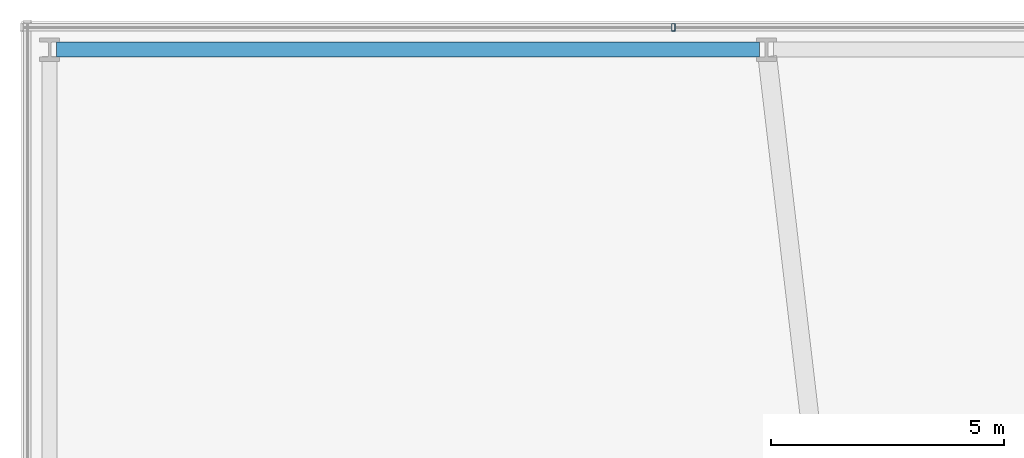
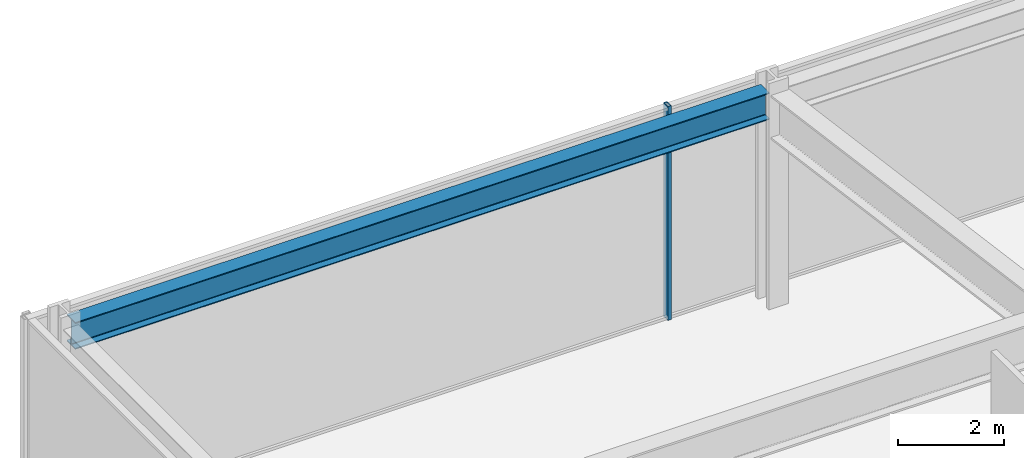
# One storey, part 31 of 49: 1 beam, 1 member, 1 element without a shape of its own.
"""IFC4 building model written with IfcOpenShell, lengths in metres."""

import ifcopenshell
import ifcopenshell.guid

model = None  # the IFC model being written
_history = None  # IfcOwnerHistory: only IFC2X3 demands one
_inside = {}  # id of a spatial element -> (the spatial element, [elements in it])
_under = {}  # id of a project, library or spatial element -> (it, [spatial elements below it])
_declared = {}  # id of a project -> (the project, [libraries it declares])
_typed = {}  # id of a type object -> (the type object, [elements of that type])
_made_of = {}  # id of a material, layer set ... -> (it, [elements and type objects made of it])


def new_model(schema):
    """Start an empty IFC model of exactly this schema.

    Asked for "IFC4X3", IfcOpenShell would pick the latest addendum, in which some entities
    have other attributes; the version numbers below select the first issue.
    IFC2X3 requires an IfcOwnerHistory on every rooted entity: one is made here for all.
    """
    global model, _history
    if schema == "IFC4X3":
        model = ifcopenshell.file(schema_version=(4, 3, 0, 0))
    else:
        model = ifcopenshell.file(schema=schema)
    _inside.clear()
    _under.clear()
    _declared.clear()
    _typed.clear()
    _made_of.clear()
    _history = None
    if model.schema == "IFC2X3":
        org = make("IfcOrganization", Name="unknown")
        user = make(
            "IfcPersonAndOrganization",
            ThePerson=make("IfcPerson", FamilyName="unknown"),
            TheOrganization=org,
        )
        app = make(
            "IfcApplication",
            ApplicationDeveloper=org,
            Version="unknown",
            ApplicationFullName="unknown",
            ApplicationIdentifier="unknown",
        )
        _history = make(
            "IfcOwnerHistory",
            OwningUser=user,
            OwningApplication=app,
            ChangeAction="ADDED",
            CreationDate=0,
        )
    return model


def make(cls, **values):
    """One entity of the class cls with the attributes given. An attribute that is None is left unset."""
    return model.create_entity(
        cls, **{name: value for name, value in values.items() if value is not None}
    )


def rooted(cls, **values):
    """An entity with a GlobalId (a new one), such as an element, a storey or a relation."""
    return make(cls, GlobalId=ifcopenshell.guid.new(), OwnerHistory=_history, **values)


def si_unit(unit_type, name, prefix=None):
    """IfcSIUnit, for example si_unit("LENGTHUNIT", "METRE", prefix="MILLI")."""
    return make("IfcSIUnit", UnitType=unit_type, Prefix=prefix, Name=name)


def assignment(units):
    """IfcUnitAssignment: the units of a project."""
    return None if units is None else make("IfcUnitAssignment", Units=units)


def point(xyz):
    """IfcCartesianPoint."""
    return None if xyz is None else make("IfcCartesianPoint", Coordinates=xyz)


def direction(xyz):
    """IfcDirection."""
    return None if xyz is None else make("IfcDirection", DirectionRatios=xyz)


def frame(location, z_axis=None, x_axis=None):
    """IfcAxis2Placement3D, a coordinate frame: its origin and axes. An axis left out is left unset."""
    return make(
        "IfcAxis2Placement3D",
        Location=point(location),
        Axis=direction(z_axis),
        RefDirection=direction(x_axis),
    )


def frame_2d(location, x_axis=None):
    """IfcAxis2Placement2D, a coordinate frame in the plane: its origin and x axis."""
    return make(
        "IfcAxis2Placement2D", Location=point(location), RefDirection=direction(x_axis)
    )


def origin():
    """The frame at (0, 0, 0) with its axes left unset."""
    return frame((0.0, 0.0, 0.0))


def origin_2d():
    """The frame at (0, 0) in the plane with its x axis left unset."""
    return frame_2d((0.0, 0.0))


def place(relative_to, where):
    """IfcLocalPlacement: puts the frame where relative to a parent placement (None: the world)."""
    return make(
        "IfcLocalPlacement", PlacementRelTo=relative_to, RelativePlacement=where
    )


def context(
    kind, dimensions, precision=None, world=None, true_north=None, identifier=None
):
    """IfcGeometricRepresentationContext, for example the 3D "Model" context."""
    return make(
        "IfcGeometricRepresentationContext",
        ContextIdentifier=identifier,
        ContextType=kind,
        CoordinateSpaceDimension=dimensions,
        Precision=precision,
        WorldCoordinateSystem=world,
        TrueNorth=true_north,
    )


def subcontext(parent, identifier, kind, view, scale=None):
    """IfcGeometricRepresentationSubContext, for example "Body" below "Model"."""
    return make(
        "IfcGeometricRepresentationSubContext",
        ContextIdentifier=identifier,
        ContextType=kind,
        ParentContext=parent,
        TargetScale=scale,
        TargetView=view,
    )


def project(units=None, contexts=None):
    """IfcProject with its units and contexts."""
    return rooted(
        "IfcProject",
        Name="project",
        RepresentationContexts=contexts,
        UnitsInContext=assignment(units),
    )


def spatial(cls, under=None, at=None, **own):
    """A site, building, storey or space (cls), placed at a placement, below another one or the project."""
    s = rooted(cls, ObjectPlacement=at, **own)
    if under is not None:
        _under.setdefault(under.id(), (under, []))[1].append(s)
    return s


def profile(cls, at=None, kind="AREA", **sizes):
    """A parametric profile (cls). Its sizes go by their IFC names, for example OverallWidth=200.0."""
    return make(cls, ProfileType=kind, Position=at, **sizes)


def hollow_rectangle(**sizes):
    """IfcRectangleHollowProfileDef."""
    return profile("IfcRectangleHollowProfileDef", **sizes)


def i_section(**sizes):
    """IfcIShapeProfileDef."""
    return profile("IfcIShapeProfileDef", **sizes)


def extrude(swept, where, along, depth):
    """IfcExtrudedAreaSolid: the profile swept, set in the frame where, extruded along a direction by depth."""
    return make(
        "IfcExtrudedAreaSolid",
        SweptArea=swept,
        Position=where,
        ExtrudedDirection=direction(along),
        Depth=depth,
    )


def shape(context_of_items, identifier, shape_type, items):
    """IfcShapeRepresentation: the items that make up one representation, for example the "Body"."""
    return make(
        "IfcShapeRepresentation",
        ContextOfItems=context_of_items,
        RepresentationIdentifier=identifier,
        RepresentationType=shape_type,
        Items=items,
    )


def material(Name=None, Category=None):
    """IfcMaterial."""
    return make("IfcMaterial", Name=Name, Category=Category)


def material_profile(
    of_material, cross_section, Name=None, Category=None, Priority=None
):
    """IfcMaterialProfile: a cross section and its material."""
    return make(
        "IfcMaterialProfile",
        Name=Name,
        Material=of_material,
        Profile=cross_section,
        Priority=Priority,
        Category=Category,
    )


def profile_set(profiles, Name=None, composite=None):
    """IfcMaterialProfileSet."""
    return make(
        "IfcMaterialProfileSet",
        Name=Name,
        MaterialProfiles=profiles,
        CompositeProfile=composite,
    )


def made_of(thing, what):
    """Note that an element or type object is made of a material, layer set ...; save() writes the relation."""
    if what is not None:
        _made_of.setdefault(what.id(), (what, []))[1].append(thing)
    return thing


def type_object(cls, material=None, **own):
    """A type object (cls), such as IfcWallType, which elements share."""
    return made_of(rooted(cls, **own), material)


def element(
    cls,
    number,
    at=None,
    inside=None,
    cuts=None,
    type_object=None,
    material=None,
    context=None,
    identifier="Body",
    shape_type=None,
    held_by="IfcProductDefinitionShape",
    body=None,
    shapes=None,
    **own,
):
    """One element of the class cls, such as IfcWall. Its Tag is "e" and its number.

    at: its placement. inside: the storey or other place that contains it. cuts: it is an
    opening in that element (IfcRelVoidsElement). A single representation is given by context,
    identifier, shape_type and body (its items); several are given by shapes. held_by: the class
    of the entity that holds the representations. save() writes the other relations.
    """
    e = rooted(cls, Tag="e%d" % number, ObjectPlacement=at, **own)
    if body is not None:
        shapes = [shape(context, identifier, shape_type, body)]
    if shapes is not None:
        e.Representation = make(held_by, Representations=shapes)
    if inside is not None:
        _inside.setdefault(inside.id(), (inside, []))[1].append(e)
    if cuts is not None:
        rooted(
            "IfcRelVoidsElement", RelatingBuildingElement=cuts, RelatedOpeningElement=e
        )
    if type_object is not None:
        _typed.setdefault(type_object.id(), (type_object, []))[1].append(e)
    return made_of(e, material)


def aggregate(whole, parts):
    """IfcRelAggregates: a whole, such as a stair, and the parts it consists of."""
    return rooted("IfcRelAggregates", RelatingObject=whole, RelatedObjects=parts)


def save(model, path):
    """Write the relations noted so far, then the file.

    IfcRelAggregates (storeys below a building ...), IfcRelContainedInSpatialStructure (elements
    in a storey), IfcRelDefinesByType, IfcRelAssociatesMaterial and IfcRelDeclares: one each for
    every whole, place, type object, material and project.
    """
    for whole, parts in _under.values():
        aggregate(whole, parts)
    for where, things in _inside.values():
        rooted(
            "IfcRelContainedInSpatialStructure",
            RelatedElements=things,
            RelatingStructure=where,
        )
    for kind, things in _typed.values():
        rooted("IfcRelDefinesByType", RelatedObjects=things, RelatingType=kind)
    for what, things in _made_of.values():
        rooted("IfcRelAssociatesMaterial", RelatedObjects=things, RelatingMaterial=what)
    for by, libraries in _declared.values():
        rooted("IfcRelDeclares", RelatingContext=by, RelatedDefinitions=libraries)
    model.write(path)


model = new_model("IFC4")

# Units and contexts
model_context = context("Model", 3, precision=1e-05, world=origin(), true_north=direction((0.0, 1.0)))
body_context = subcontext(model_context, "Body", "Model", "MODEL_VIEW")
ifc_project = project(units=[si_unit("LENGTHUNIT", "METRE"), si_unit("AREAUNIT", "SQUARE_METRE"), si_unit("VOLUMEUNIT", "CUBIC_METRE"), si_unit("PLANEANGLEUNIT", "RADIAN"), si_unit("MASSUNIT", "GRAM", prefix="KILO")], contexts=[model_context])

# Site, building, storey
site_placement = place(None, origin())
site = spatial("IfcSite", under=ifc_project, at=site_placement, CompositionType="ELEMENT")
building_placement = place(site_placement, origin())
building = spatial("IfcBuilding", under=site, at=building_placement, Name="Kolvaren Belvedere", CompositionType="ELEMENT")
storey_placement = place(building_placement, frame((0.0, 0.0, 10.0)))
storey = spatial("IfcBuildingStorey", under=building, at=storey_placement, Name="L03", CompositionType="ELEMENT", Elevation=10.0)

# Beam
ifc_material_1 = material(Name="Structural steel ASTM A992 Grade 50", Category="steel")
ifc_material_profile_1 = material_profile(ifc_material_1, i_section(OverallWidth=0.324951171875, OverallDepth=0.615966796875, WebThickness=0.013916015625, FlangeThickness=0.021484375, FilletRadius=0.02001953125, at=origin_2d()), Name="W24X117")
ifc_profile_set_1 = profile_set([ifc_material_profile_1], Name="Structural steel ASTM A992 Grade 50")
beam_type = type_object("IfcBeamType", Name="BM-SPAN-W24X117", PredefinedType="SPANDREL", material=ifc_profile_set_1)
beam_placement = place(storey_placement, frame((-27.25, 27.800048828125, 4.612060546875), z_axis=(1.0, 0.0, 0.0), x_axis=(0.0, 1.0, 0.0)))
element("IfcBeam", 1, at=beam_placement, inside=storey, type_object=beam_type, Name="L03 North Podium Spandrel 1", PredefinedType="SPANDREL", context=body_context, shape_type="SweptSolid", body=[
    extrude(i_section(OverallWidth=0.324951171875, OverallDepth=0.615966796875, WebThickness=0.013916015625, FlangeThickness=0.021484375, FilletRadius=0.02001953125, at=origin_2d()), origin(), (0.0, 0.0, 1.0), 15.10009765625),
])

# Curtain wall, member
ifc_material_2 = material(Name="Anodised pale-metal aluminium AA 6063-T6", Category="aluminium")
curtain_wall_type = type_object("IfcCurtainWallType", Name="CW-POD-A", PredefinedType="NOTDEFINED", material=ifc_material_2)
curtain_wall_placement = place(storey_placement, origin())
curtain_wall = element("IfcCurtainWall", 2, at=curtain_wall_placement, inside=storey, type_object=curtain_wall_type, Name="L03 Unitised Curtain Wall FCW-L03-SEG7", PredefinedType="NOTDEFINED")
ifc_material_3 = material(Name="Anodised pale-metal aluminium AA 6063-T6", Category="aluminium")
ifc_material_profile_2 = material_profile(ifc_material_3, hollow_rectangle(XDim=0.074951171875, YDim=0.159912109375, WallThickness=0.00439453125, at=origin_2d()), Name="ALU-MUL-160X75")
ifc_profile_set_2 = profile_set([ifc_material_profile_2], Name="Anodised pale-metal aluminium AA 6063-T6")
member_type = type_object("IfcMemberType", Name="CW-MUL-160", PredefinedType="MULLION", material=ifc_profile_set_2)
member_placement = place(storey_placement, frame((-14.0, 28.280029296875, 0.0), z_axis=(0.0, 0.0, 1.0), x_axis=(1.0, 0.0, 0.0)))
member = element("IfcMember", 3, at=member_placement, type_object=member_type, Name="FCW-L03-SEG7 Unitised Mullion 2", PredefinedType="MULLION", context=body_context, shape_type="SweptSolid", body=[
    extrude(hollow_rectangle(XDim=0.074951171875, YDim=0.159912109375, WallThickness=0.00439453125, at=origin_2d()), origin(), (0.0, 0.0, 1.0), 4.919921875),
])
aggregate(curtain_wall, [member])

save(model, "model.ifc")
